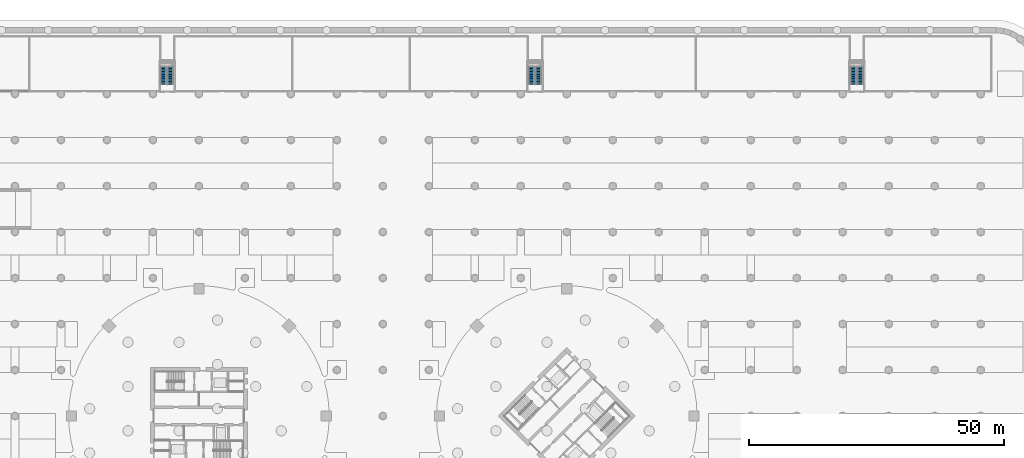
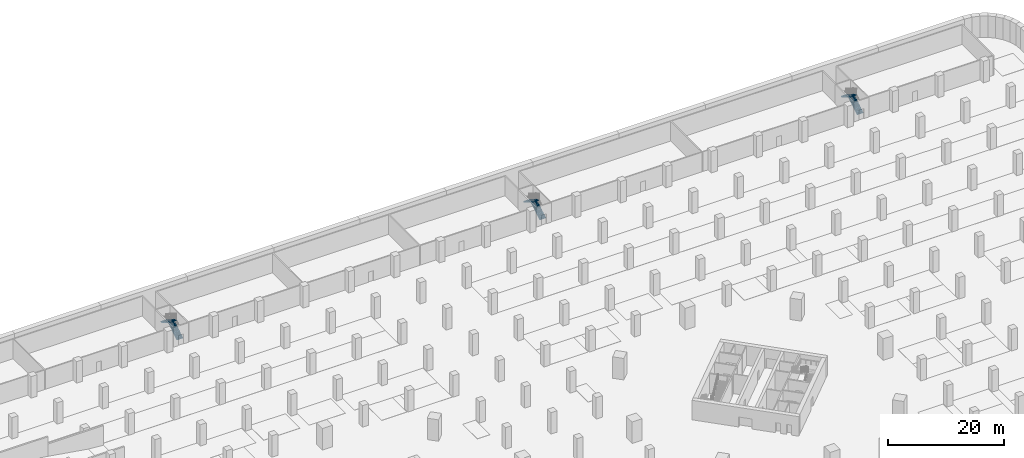
# One storey, part 24 of 39: 6 stair flights, 3 elements without a shape of their own.
"""IFC4 building model written with IfcOpenShell, lengths in metres."""

from ifc_helpers import new_model, si_unit, direction, frame, origin, place, context, subcontext, project, spatial, polyline, outline, extrude, material, type_object, element, aggregate, save


model = new_model("IFC4")

# Units and contexts
model_context = context("Model", 3, precision=1e-05, world=origin(), true_north=direction((0.0, 1.0)))
body_context = subcontext(model_context, "Body", "Model", "MODEL_VIEW")
ifc_project = project(units=[si_unit("LENGTHUNIT", "METRE"), si_unit("AREAUNIT", "SQUARE_METRE"), si_unit("VOLUMEUNIT", "CUBIC_METRE"), si_unit("PLANEANGLEUNIT", "RADIAN"), si_unit("MASSUNIT", "GRAM", prefix="KILO")], contexts=[model_context])

# Site, building, storey
site_placement = place(None, origin())
site = spatial("IfcSite", under=ifc_project, at=site_placement, CompositionType="ELEMENT")
building_placement = place(site_placement, origin())
building = spatial("IfcBuilding", under=site, at=building_placement, Name="Ogive Gate Towers", CompositionType="ELEMENT")
storey_placement = place(building_placement, frame((0.0, 0.0, -9.0)))
storey = spatial("IfcBuildingStorey", under=building, at=storey_placement, Name="B2", CompositionType="ELEMENT", Elevation=-9.0)

# Stair, stair flights
ifc_material = material(Name="Reinforced concrete C32/40", Category="concrete")
stair_type = type_object("IfcStairType", Name="Car park escape stair 173 x 280", PredefinedType="HALF_TURN_STAIR", material=ifc_material)
stair_1_placement = place(storey_placement, origin())
stair_1 = element("IfcStair", 1, at=stair_1_placement, inside=storey, type_object=stair_type, Name="B2 escape stair", PredefinedType="HALF_TURN_STAIR")
stair_flight_type = type_object("IfcStairFlightType", Name="Car park escape stair flight 173 x 280", PredefinedType="STRAIGHT", material=ifc_material)
stair_flight_1_placement = place(storey_placement, frame((-41.550048828125, 64.89990234375, 0.0), z_axis=(0.0, 0.0, 1.0), x_axis=(0.0, 1.0, 0.0)))
stair_flight_1 = element("IfcStairFlight", 2, at=stair_flight_1_placement, type_object=stair_flight_type, Name="CS2 flight 1", NumberOfRisers=13, NumberOfTreads=12, PredefinedType="STRAIGHT", RiserHeight=0.173076923, TreadLength=0.28, context=body_context, shape_type="SweptSolid", body=[
    extrude(outline(polyline([(0.0, 0.0), (0.0, 0.173095703125), (0.280029296875, 0.173095703125), (0.280029296875, 0.34619140625), (0.56005859375, 0.34619140625), (0.56005859375, 0.519287109375), (0.840087890625, 0.519287109375), (0.840087890625, 0.6923828125), (1.1201171875, 0.6923828125), (1.1201171875, 0.865478515625), (1.39990234375, 0.865478515625), (1.39990234375, 1.03857421875), (1.679931640625, 1.03857421875), (1.679931640625, 1.21142578125), (1.9599609375, 1.21142578125), (1.9599609375, 1.384521484375), (2.239990234375, 1.384521484375), (2.239990234375, 1.5576171875), (2.52001953125, 1.5576171875), (2.52001953125, 1.730712890625), (2.800048828125, 1.730712890625), (2.800048828125, 1.90380859375), (3.080078125, 1.90380859375), (3.080078125, 2.076904296875), (3.360107421875, 2.076904296875), (3.360107421875, 2.25), (3.360107421875, 1.900634765625), (0.28515625, 0.0), (0.0, 0.0)])), frame((0.0, 0.60009765625, 0.0), z_axis=(0.0, -1.0, 0.0), x_axis=(1.0, 0.0, 0.0)), (0.0, 0.0, 1.0), 1.199951171875),
])
stair_flight_2_placement = place(storey_placement, frame((-42.89990234375, 68.260009765625, 2.25), z_axis=(0.0, 0.0, 1.0), x_axis=(0.0, -1.0, 0.0)))
stair_flight_2 = element("IfcStairFlight", 3, at=stair_flight_2_placement, type_object=stair_flight_type, Name="CS2 flight 2", NumberOfRisers=13, NumberOfTreads=12, PredefinedType="STRAIGHT", RiserHeight=0.173076923, TreadLength=0.28, context=body_context, shape_type="SweptSolid", body=[
    extrude(outline(polyline([(0.0, 0.0), (0.0, 0.173095703125), (0.280029296875, 0.173095703125), (0.280029296875, 0.34619140625), (0.56005859375, 0.34619140625), (0.56005859375, 0.519287109375), (0.840087890625, 0.519287109375), (0.840087890625, 0.6923828125), (1.1201171875, 0.6923828125), (1.1201171875, 0.865478515625), (1.39990234375, 0.865478515625), (1.39990234375, 1.03857421875), (1.679931640625, 1.03857421875), (1.679931640625, 1.21142578125), (1.9599609375, 1.21142578125), (1.9599609375, 1.384521484375), (2.239990234375, 1.384521484375), (2.239990234375, 1.5576171875), (2.52001953125, 1.5576171875), (2.52001953125, 1.730712890625), (2.800048828125, 1.730712890625), (2.800048828125, 1.90380859375), (3.080078125, 1.90380859375), (3.080078125, 2.076904296875), (3.360107421875, 2.076904296875), (3.360107421875, 2.25), (3.360107421875, 1.900634765625), (0.28515625, 0.0), (0.0, 0.0)])), frame((0.0, 0.60009765625, 0.0), z_axis=(0.0, -1.0, 0.0), x_axis=(1.0, 0.0, 0.0)), (0.0, 0.0, 1.0), 1.199951171875),
])
aggregate(stair_1, [stair_flight_1, stair_flight_2])

stair_2_placement = place(storey_placement, origin())
stair_2 = element("IfcStair", 4, at=stair_2_placement, inside=storey, type_object=stair_type, Name="B2 escape stair", PredefinedType="HALF_TURN_STAIR")
stair_flight_3_placement = place(storey_placement, frame((30.449951171875, 64.89990234375, 0.0), z_axis=(0.0, 0.0, 1.0), x_axis=(0.0, 1.0, 0.0)))
stair_flight_3 = element("IfcStairFlight", 5, at=stair_flight_3_placement, type_object=stair_flight_type, Name="CS3 flight 1", NumberOfRisers=13, NumberOfTreads=12, PredefinedType="STRAIGHT", RiserHeight=0.173076923, TreadLength=0.28, context=body_context, shape_type="SweptSolid", body=[
    extrude(outline(polyline([(0.0, 0.0), (0.0, 0.173095703125), (0.280029296875, 0.173095703125), (0.280029296875, 0.34619140625), (0.56005859375, 0.34619140625), (0.56005859375, 0.519287109375), (0.840087890625, 0.519287109375), (0.840087890625, 0.6923828125), (1.1201171875, 0.6923828125), (1.1201171875, 0.865478515625), (1.39990234375, 0.865478515625), (1.39990234375, 1.03857421875), (1.679931640625, 1.03857421875), (1.679931640625, 1.21142578125), (1.9599609375, 1.21142578125), (1.9599609375, 1.384521484375), (2.239990234375, 1.384521484375), (2.239990234375, 1.5576171875), (2.52001953125, 1.5576171875), (2.52001953125, 1.730712890625), (2.800048828125, 1.730712890625), (2.800048828125, 1.90380859375), (3.080078125, 1.90380859375), (3.080078125, 2.076904296875), (3.360107421875, 2.076904296875), (3.360107421875, 2.25), (3.360107421875, 1.900634765625), (0.28515625, 0.0), (0.0, 0.0)])), frame((0.0, 0.60009765625, 0.0), z_axis=(0.0, -1.0, 0.0), x_axis=(1.0, 0.0, 0.0)), (0.0, 0.0, 1.0), 1.199951171875),
])
stair_flight_4_placement = place(storey_placement, frame((29.10009765625, 68.260009765625, 2.25), z_axis=(0.0, 0.0, 1.0), x_axis=(0.0, -1.0, 0.0)))
stair_flight_4 = element("IfcStairFlight", 6, at=stair_flight_4_placement, type_object=stair_flight_type, Name="CS3 flight 2", NumberOfRisers=13, NumberOfTreads=12, PredefinedType="STRAIGHT", RiserHeight=0.173076923, TreadLength=0.28, context=body_context, shape_type="SweptSolid", body=[
    extrude(outline(polyline([(0.0, 0.0), (0.0, 0.173095703125), (0.280029296875, 0.173095703125), (0.280029296875, 0.34619140625), (0.56005859375, 0.34619140625), (0.56005859375, 0.519287109375), (0.840087890625, 0.519287109375), (0.840087890625, 0.6923828125), (1.1201171875, 0.6923828125), (1.1201171875, 0.865478515625), (1.39990234375, 0.865478515625), (1.39990234375, 1.03857421875), (1.679931640625, 1.03857421875), (1.679931640625, 1.21142578125), (1.9599609375, 1.21142578125), (1.9599609375, 1.384521484375), (2.239990234375, 1.384521484375), (2.239990234375, 1.5576171875), (2.52001953125, 1.5576171875), (2.52001953125, 1.730712890625), (2.800048828125, 1.730712890625), (2.800048828125, 1.90380859375), (3.080078125, 1.90380859375), (3.080078125, 2.076904296875), (3.360107421875, 2.076904296875), (3.360107421875, 2.25), (3.360107421875, 1.900634765625), (0.28515625, 0.0), (0.0, 0.0)])), frame((0.0, 0.60009765625, 0.0), z_axis=(0.0, -1.0, 0.0), x_axis=(1.0, 0.0, 0.0)), (0.0, 0.0, 1.0), 1.199951171875),
])
aggregate(stair_2, [stair_flight_3, stair_flight_4])

stair_3_placement = place(storey_placement, origin())
stair_3 = element("IfcStair", 7, at=stair_3_placement, inside=storey, type_object=stair_type, Name="B2 escape stair", PredefinedType="HALF_TURN_STAIR")
stair_flight_5_placement = place(storey_placement, frame((93.449951171875, 64.89990234375, 0.0), z_axis=(0.0, 0.0, 1.0), x_axis=(0.0, 1.0, 0.0)))
stair_flight_5 = element("IfcStairFlight", 8, at=stair_flight_5_placement, type_object=stair_flight_type, Name="CS4 flight 1", NumberOfRisers=13, NumberOfTreads=12, PredefinedType="STRAIGHT", RiserHeight=0.173076923, TreadLength=0.28, context=body_context, shape_type="SweptSolid", body=[
    extrude(outline(polyline([(0.0, 0.0), (0.0, 0.173095703125), (0.280029296875, 0.173095703125), (0.280029296875, 0.34619140625), (0.56005859375, 0.34619140625), (0.56005859375, 0.519287109375), (0.840087890625, 0.519287109375), (0.840087890625, 0.6923828125), (1.1201171875, 0.6923828125), (1.1201171875, 0.865478515625), (1.39990234375, 0.865478515625), (1.39990234375, 1.03857421875), (1.679931640625, 1.03857421875), (1.679931640625, 1.21142578125), (1.9599609375, 1.21142578125), (1.9599609375, 1.384521484375), (2.239990234375, 1.384521484375), (2.239990234375, 1.5576171875), (2.52001953125, 1.5576171875), (2.52001953125, 1.730712890625), (2.800048828125, 1.730712890625), (2.800048828125, 1.90380859375), (3.080078125, 1.90380859375), (3.080078125, 2.076904296875), (3.360107421875, 2.076904296875), (3.360107421875, 2.25), (3.360107421875, 1.900634765625), (0.28515625, 0.0), (0.0, 0.0)])), frame((0.0, 0.60009765625, 0.0), z_axis=(0.0, -1.0, 0.0), x_axis=(1.0, 0.0, 0.0)), (0.0, 0.0, 1.0), 1.199951171875),
])
stair_flight_6_placement = place(storey_placement, frame((92.10009765625, 68.260009765625, 2.25), z_axis=(0.0, 0.0, 1.0), x_axis=(0.0, -1.0, 0.0)))
stair_flight_6 = element("IfcStairFlight", 9, at=stair_flight_6_placement, type_object=stair_flight_type, Name="CS4 flight 2", NumberOfRisers=13, NumberOfTreads=12, PredefinedType="STRAIGHT", RiserHeight=0.173076923, TreadLength=0.28, context=body_context, shape_type="SweptSolid", body=[
    extrude(outline(polyline([(0.0, 0.0), (0.0, 0.173095703125), (0.280029296875, 0.173095703125), (0.280029296875, 0.34619140625), (0.56005859375, 0.34619140625), (0.56005859375, 0.519287109375), (0.840087890625, 0.519287109375), (0.840087890625, 0.6923828125), (1.1201171875, 0.6923828125), (1.1201171875, 0.865478515625), (1.39990234375, 0.865478515625), (1.39990234375, 1.03857421875), (1.679931640625, 1.03857421875), (1.679931640625, 1.21142578125), (1.9599609375, 1.21142578125), (1.9599609375, 1.384521484375), (2.239990234375, 1.384521484375), (2.239990234375, 1.5576171875), (2.52001953125, 1.5576171875), (2.52001953125, 1.730712890625), (2.800048828125, 1.730712890625), (2.800048828125, 1.90380859375), (3.080078125, 1.90380859375), (3.080078125, 2.076904296875), (3.360107421875, 2.076904296875), (3.360107421875, 2.25), (3.360107421875, 1.900634765625), (0.28515625, 0.0), (0.0, 0.0)])), frame((0.0, 0.60009765625, 0.0), z_axis=(0.0, -1.0, 0.0), x_axis=(1.0, 0.0, 0.0)), (0.0, 0.0, 1.0), 1.199951171875),
])
aggregate(stair_3, [stair_flight_5, stair_flight_6])

save(model, "model.ifc")
